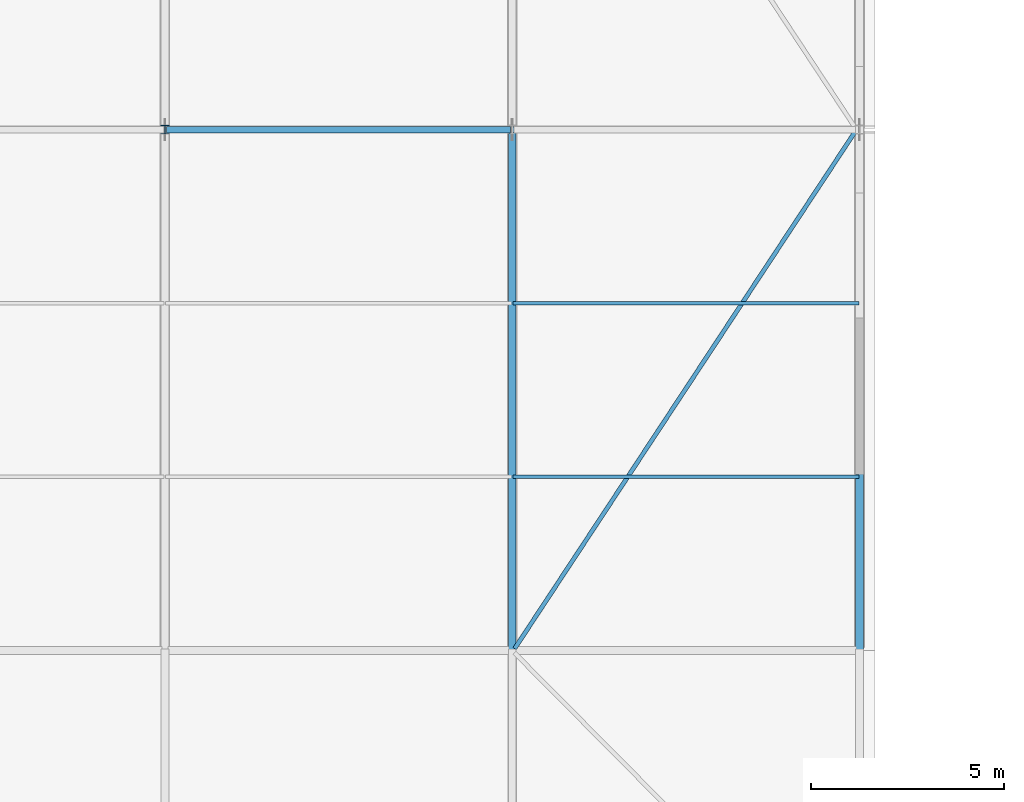
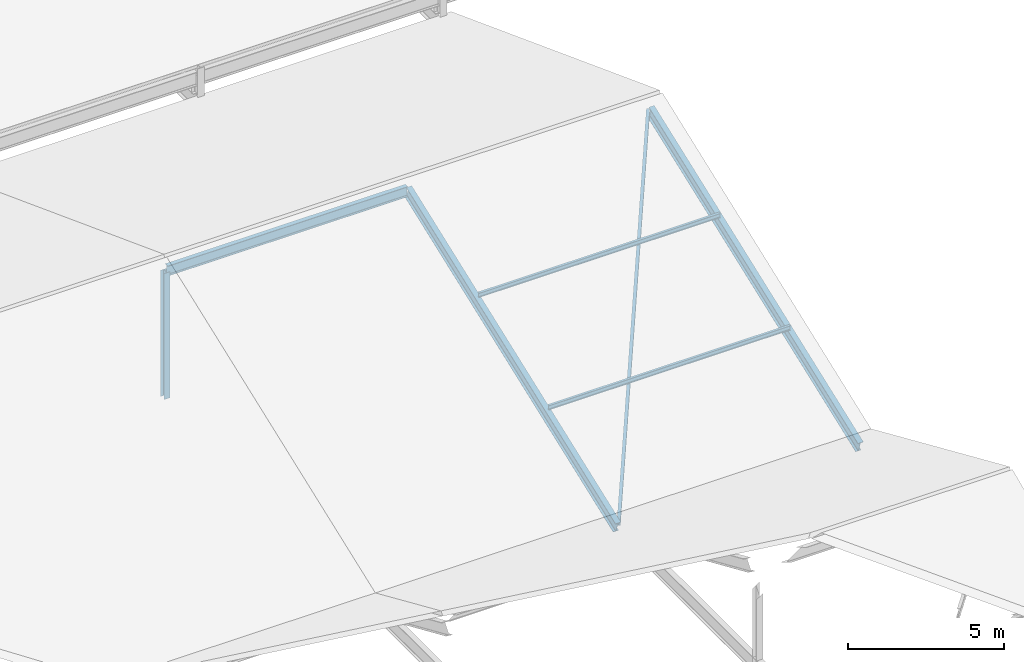
# One storey, part 55 of 163: 7 members.
"""IFC4 building model written with IfcOpenShell, lengths in metres."""

from ifc_helpers import new_model, si_unit, direction, frame, origin, origin_2d, place, context, subcontext, project, spatial, i_section, extrude, material, material_profile, profile_set, type_object, element, save


model = new_model("IFC4")

# Units and contexts
model_context = context("Model", 3, precision=1e-05, world=origin(), true_north=direction((0.0, 1.0)))
body_context = subcontext(model_context, "Body", "Model", "MODEL_VIEW")
ifc_project = project(units=[si_unit("LENGTHUNIT", "METRE"), si_unit("AREAUNIT", "SQUARE_METRE"), si_unit("VOLUMEUNIT", "CUBIC_METRE"), si_unit("PLANEANGLEUNIT", "RADIAN"), si_unit("MASSUNIT", "GRAM", prefix="KILO")], contexts=[model_context])

# Site, building, storey
site_placement = place(None, origin())
site = spatial("IfcSite", under=ifc_project, at=site_placement, CompositionType="ELEMENT")
building_placement = place(site_placement, origin())
building = spatial("IfcBuilding", under=site, at=building_placement, Name="Tharagai Park Tramway Depot", CompositionType="ELEMENT")
storey_placement = place(building_placement, frame((0.0, 0.0, 8.39990234375)))
storey = spatial("IfcBuildingStorey", under=building, at=storey_placement, Name="L02", CompositionType="ELEMENT", Elevation=8.39990234375)

# Members
ifc_material_1 = material(Name="Steel E350", Category="steel")
ifc_material_profile_1 = material_profile(ifc_material_1, i_section(OverallWidth=0.22509765625, OverallDepth=0.22509765625, WebThickness=0.008544921875, FlangeThickness=0.009033203125, FilletRadius=0.010009765625, at=origin_2d()), Name="ISHB 225")
ifc_profile_set_1 = profile_set([ifc_material_profile_1], Name="Steel E350")
member_type_1 = type_object("IfcMemberType", Name="BR-02", PredefinedType="BRACE", material=ifc_profile_set_1)
member_1_placement = place(storey_placement, frame((72.0, 76.5, -0.5), z_axis=(0.0, 0.0, 1.0), x_axis=(1.0, 0.0, 0.0)))
element("IfcMember", 1, at=member_1_placement, inside=storey, type_object=member_type_1, Name="V2B Gable King Strut BR-02", PredefinedType="BRACE", context=body_context, shape_type="SweptSolid", body=[
    extrude(i_section(OverallWidth=0.22509765625, OverallDepth=0.22509765625, WebThickness=0.008544921875, FlangeThickness=0.009033203125, FilletRadius=0.010009765625, at=origin_2d()), origin(), (0.0, 0.0, 1.0), 4.946044921875),
])
ifc_material_profile_2 = material_profile(ifc_material_1, i_section(OverallWidth=0.110107421875, OverallDepth=0.22509765625, WebThickness=0.006591796875, FlangeThickness=0.01171875, FilletRadius=0.011962890625, at=origin_2d()), Name="ISMB 225")
ifc_profile_set_2 = profile_set([ifc_material_profile_2], Name="Steel E350")
member_type_2 = type_object("IfcMemberType", Name="BR-04", PredefinedType="BRACE", material=ifc_profile_set_2)
member_2_placement = place(storey_placement, frame((81.080078125, 63.080078125, -0.5), z_axis=(0.525522954926, 0.797805617167, 0.295519578139), x_axis=(-0.83510413753, 0.550091882762, 0.0)))
element("IfcMember", 2, at=member_2_placement, inside=storey, type_object=member_type_2, Name="V2B Roof Wind Brace BR-04", PredefinedType="BRACE", context=body_context, shape_type="SweptSolid", body=[
    extrude(i_section(OverallWidth=0.110107421875, OverallDepth=0.22509765625, WebThickness=0.006591796875, FlangeThickness=0.01171875, FilletRadius=0.011962890625, at=origin_2d()), origin(), (0.0, 0.0, 1.0), 16.821044921875),
])
ifc_material_2 = material(Name="Steel E250", Category="steel")
ifc_material_profile_3 = material_profile(ifc_material_2, i_section(OverallWidth=0.090087890625, OverallDepth=0.175048828125, WebThickness=0.005615234375, FlangeThickness=0.009033203125, FilletRadius=0.010009765625, at=origin_2d()), Name="ISMB 175")
ifc_profile_set_3 = profile_set([ifc_material_profile_3], Name="Steel E250")
member_type_3 = type_object("IfcMemberType", Name="PR-01", PredefinedType="PURLIN", material=ifc_profile_set_3)
for number, where, z_axis, x_axis, name in (
    (3, (81.02001953125, 67.5, 1.398681640625), (1.0, 0.0, 0.0), (0.0, 1.0, 0.0), "V2B Roof Purlin PR-01"),
    (4, (81.02001953125, 72.0, 3.0810546875), (1.0, 0.0, 0.0), (0.0, 1.0, 0.0), "V2B Roof Purlin PR-01"),
):
    element("IfcMember", number, at=place(storey_placement, frame(where, z_axis=z_axis, x_axis=x_axis)), inside=storey, type_object=member_type_3, Name=name, PredefinedType="PURLIN", context=body_context, shape_type="SweptSolid", body=[
        extrude(i_section(OverallWidth=0.090087890625, OverallDepth=0.175048828125, WebThickness=0.005615234375, FlangeThickness=0.009033203125, FilletRadius=0.010009765625, at=origin_2d()), origin(), (0.0, 0.0, 1.0), 8.9599609375),
    ])
ifc_material_profile_4 = material_profile(ifc_material_1, i_section(OverallWidth=0.199951171875, OverallDepth=0.449951171875, WebThickness=0.00927734375, FlangeThickness=0.015380859375, FilletRadius=0.014892578125, at=origin_2d()), Name="ISWB 450")
ifc_profile_set_4 = profile_set([ifc_material_profile_4], Name="Steel E350")
member_type_4 = type_object("IfcMemberType", Name="RF-03", PredefinedType="RAFTER", material=ifc_profile_set_4)
for number, where, z_axis, x_axis, name in (
    (5, (81.0, 63.050048828125, -0.601318359375), (0.0, 0.936246041069, 0.35134505914), (-1.0, 0.0, 0.0), "V2B Pitched Rafter RF-03 South"),
    (6, (90.0, 63.050048828125, -0.601318359375), (0.0, 0.936246041069, 0.35134505914), (-1.0, 0.0, 0.0), "V2B Pitched Rafter RF-03 South"),
):
    element("IfcMember", number, at=place(storey_placement, frame(where, z_axis=z_axis, x_axis=x_axis)), inside=storey, type_object=member_type_4, Name=name, PredefinedType="RAFTER", context=body_context, shape_type="SweptSolid", body=[
        extrude(i_section(OverallWidth=0.199951171875, OverallDepth=0.449951171875, WebThickness=0.00927734375, FlangeThickness=0.015380859375, FilletRadius=0.014892578125, at=origin_2d()), origin(), (0.0, 0.0, 1.0), 14.36572265625),
    ])
ifc_material_profile_5 = material_profile(ifc_material_1, i_section(OverallWidth=0.1650390625, OverallDepth=0.39990234375, WebThickness=0.008056640625, FlangeThickness=0.012451171875, FilletRadius=0.013916015625, at=origin_2d()), Name="ISLB 400")
ifc_profile_set_5 = profile_set([ifc_material_profile_5], Name="Steel E350")
member_type_5 = type_object("IfcMemberType", Name="TC-04", PredefinedType="CHORD", material=ifc_profile_set_5)
member_3_placement = place(storey_placement, frame((72.0400390625, 76.5, 4.470947265625), z_axis=(1.0, 0.0, 0.0), x_axis=(0.0, 1.0, 0.0)))
element("IfcMember", 7, at=member_3_placement, inside=storey, type_object=member_type_5, Name="V2B Roof Ridge Chord TC-04", PredefinedType="CHORD", context=body_context, shape_type="SweptSolid", body=[
    extrude(i_section(OverallWidth=0.1650390625, OverallDepth=0.39990234375, WebThickness=0.008056640625, FlangeThickness=0.012451171875, FilletRadius=0.013916015625, at=origin_2d()), origin(), (0.0, 0.0, 1.0), 8.919921875),
])

save(model, "model.ifc")
